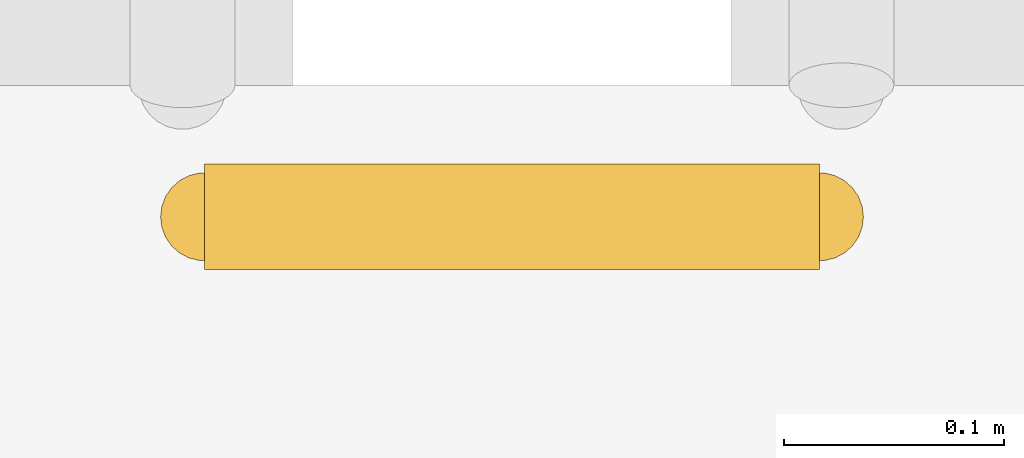
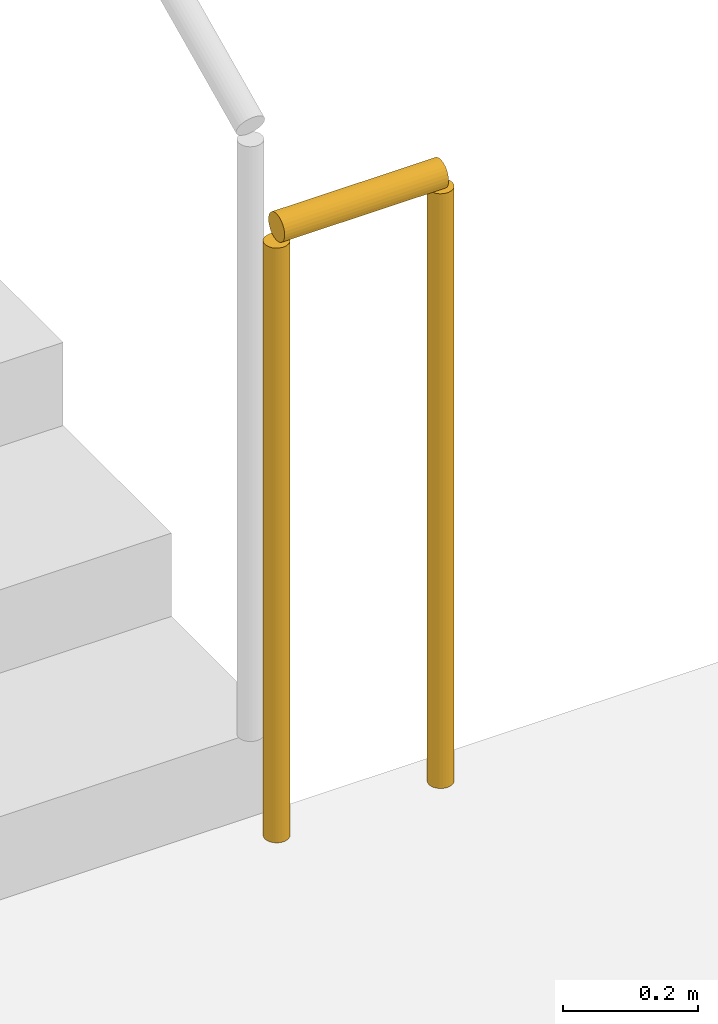
# One storey, part 101 of 118: 1 railing.
"""IFC4 building model written with IfcOpenShell, lengths in metres."""

from ifc_helpers import new_model, si_unit, direction, frame, origin, origin_2d, place, context, subcontext, project, spatial, circle, extrude, material, type_object, element, save


model = new_model("IFC4")

# Units and contexts
model_context = context("Model", 3, precision=1e-05, world=origin(), true_north=direction((0.0, 1.0)))
body_context = subcontext(model_context, "Body", "Model", "MODEL_VIEW")
ifc_project = project(units=[si_unit("LENGTHUNIT", "METRE"), si_unit("AREAUNIT", "SQUARE_METRE"), si_unit("VOLUMEUNIT", "CUBIC_METRE"), si_unit("PLANEANGLEUNIT", "RADIAN"), si_unit("MASSUNIT", "GRAM", prefix="KILO")], contexts=[model_context])

# Site, building, storey
site_placement = place(None, origin())
site = spatial("IfcSite", under=ifc_project, at=site_placement, CompositionType="ELEMENT")
building_placement = place(site_placement, origin())
building = spatial("IfcBuilding", under=site, at=building_placement, Name="Kolvaren Corner Interchange", CompositionType="ELEMENT")
storey_placement = place(building_placement, origin())
storey = spatial("IfcBuildingStorey", under=building, at=storey_placement, Name="L01", CompositionType="ELEMENT", Elevation=0.0)

# Railing
ifc_material = material(Name="Powder-Coated Steel Stairwell Guardrail", Category="steel")
railing_type = type_object("IfcRailingType", Name="RLT-STAIR-GRD1120", PredefinedType="GUARDRAIL", material=ifc_material)
railing_placement = place(storey_placement, frame((62.610107421875, 29.090087890625, 0.0)))
element("IfcRailing", 1, at=railing_placement, inside=storey, type_object=railing_type, Name="Core C3 West Concourse Transfer Stair L01 Landing Edge Guardrail", PredefinedType="GUARDRAIL", context=body_context, shape_type="SweptSolid", body=[
    extrude(circle(Radius=0.02392578125, at=origin_2d()), frame((0.0, 0.0, 1.09619140625), z_axis=(1.0, 0.0, 0.0), x_axis=(0.0, 1.0, 0.0)), (0.0, 0.0, 1.0), 0.27978515625),
    extrude(circle(Radius=0.02001953125, at=origin_2d()), origin(), (0.0, 0.0, 1.0), 1.072021484375),
    extrude(circle(Radius=0.02001953125, at=origin_2d()), frame((0.27978515625, 0.0, 0.0)), (0.0, 0.0, 1.0), 1.072021484375),
])

save(model, "model.ifc")
